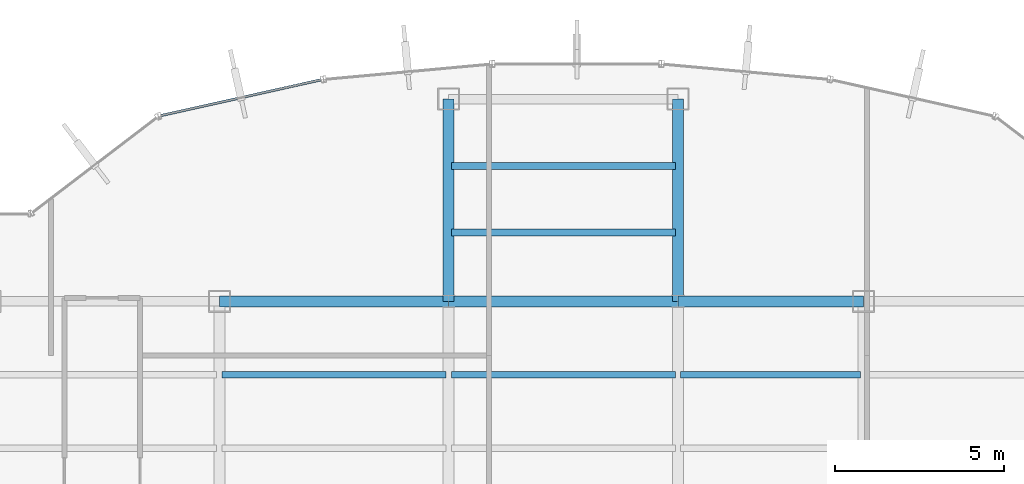
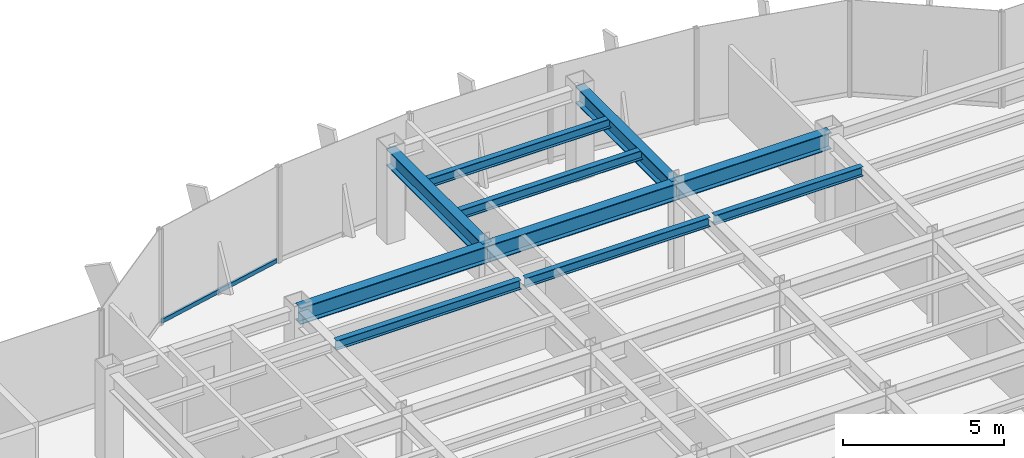
# One storey, part 14 of 23: 10 beams, 1 member, 1 element without a shape of its own.
"""IFC4 building model written with IfcOpenShell, lengths in metres."""

from ifc_helpers import new_model, si_unit, derived_unit, direction, frame, origin, origin_2d, place, context, subcontext, project, spatial, hollow_rectangle, i_section, extrude, source, transform, mapped, material, material_profile, profile_set, type_object, element, aggregate, save


model = new_model("IFC4")

# Units and contexts
model_context = context("Model", 3, precision=1e-05, world=origin(), true_north=direction((0.0, 1.0)))
body_context = subcontext(model_context, "Body", "Model", "MODEL_VIEW")
ifc_project = project(units=[si_unit("LENGTHUNIT", "METRE"), si_unit("AREAUNIT", "SQUARE_METRE"), si_unit("VOLUMEUNIT", "CUBIC_METRE"), si_unit("PLANEANGLEUNIT", "RADIAN"), si_unit("MASSUNIT", "GRAM", prefix="KILO"), derived_unit("THERMALTRANSMITTANCEUNIT", [(si_unit("POWERUNIT", "WATT"), 1), (si_unit("LENGTHUNIT", "METRE"), -2), (si_unit("THERMODYNAMICTEMPERATUREUNIT", "KELVIN"), -1)])], contexts=[model_context])

# Site, building, storey
site_placement = place(None, origin())
site = spatial("IfcSite", under=ifc_project, at=site_placement, CompositionType="ELEMENT")
building_placement = place(site_placement, origin())
building = spatial("IfcBuilding", under=site, at=building_placement, Name="Skarnbrae Concourse Arena and Tower", CompositionType="ELEMENT")
storey_placement = place(building_placement, frame((0.0, 0.0, 140.60009765625)))
storey = spatial("IfcBuildingStorey", under=building, at=storey_placement, Name="L35", CompositionType="ELEMENT", Elevation=140.60009765625)

# Beams
ifc_material_1 = material(Name="Steel CSA G40.21 350W", Category="steel")
ifc_material_profile_1 = material_profile(ifc_material_1, i_section(OverallWidth=0.3291015625, OverallDepth=0.635009765625, WebThickness=0.017822265625, FlangeThickness=0.031005859375, at=origin_2d()), Name="W610X241")
ifc_profile_set_1 = profile_set([ifc_material_profile_1], Name="Steel CSA G40.21 350W")
beam_type_1 = type_object("IfcBeamType", Name="BM-GIRD-W610X241", PredefinedType="BEAM", material=ifc_profile_set_1)
shared_shape_1 = source(origin(), body_context, "Body", "SweptSolid", [
    extrude(i_section(OverallWidth=0.3291015625, OverallDepth=0.635009765625, WebThickness=0.017822265625, FlangeThickness=0.031005859375, at=origin_2d()), origin(), (0.0, 0.0, 1.0), 6.800048828125),
])
for number, where, z_axis, x_axis, name in (
    (1, (14.39990234375, 34.39990234375, 3.08251953125), (1.0, 0.0, 0.0), (0.0, 1.0, 0.0), "L35 Primary E-W girder Y34.4-2"),
    (2, (21.199951171875, 34.39990234375, 3.08251953125), (1.0, 0.0, 0.0), (0.0, 1.0, 0.0), "L35 Primary E-W girder Y34.4-3"),
):
    element("IfcBeam", number, at=place(storey_placement, frame(where, z_axis=z_axis, x_axis=x_axis)), inside=storey, type_object=beam_type_1, Name=name, PredefinedType="BEAM", context=body_context, shape_type="MappedRepresentation", body=[
        mapped(shared_shape_1, transform((0.0, 0.0, 0.0))),
    ])
shared_shape_2 = source(origin(), body_context, "Body", "SweptSolid", [
    extrude(i_section(OverallWidth=0.3291015625, OverallDepth=0.635009765625, WebThickness=0.017822265625, FlangeThickness=0.031005859375, at=origin_2d()), origin(), (0.0, 0.0, 1.0), 5.5),
])
beam_1_placement = place(storey_placement, frame((28.0, 34.39990234375, 3.08251953125), z_axis=(1.0, 0.0, 0.0), x_axis=(0.0, 1.0, 0.0)))
element("IfcBeam", 3, at=beam_1_placement, inside=storey, type_object=beam_type_1, Name="L35 Primary E-W girder Y34.4-4", PredefinedType="BEAM", context=body_context, shape_type="MappedRepresentation", body=[
    mapped(shared_shape_2, transform((0.0, 0.0, 0.0))),
])
shared_shape_3 = source(origin(), body_context, "Body", "SweptSolid", [
    extrude(i_section(OverallWidth=0.3291015625, OverallDepth=0.635009765625, WebThickness=0.017822265625, FlangeThickness=0.031005859375, at=origin_2d()), origin(), (0.0, 0.0, 1.0), 6.0),
])
for number, where, z_axis, x_axis, name in (
    (4, (21.199951171875, 34.39990234375, 3.08251953125), (0.0, 1.0, 0.0), (-1.0, 0.0, 0.0), "L35 Primary N-S girder X21.2-4"),
    (5, (28.0, 34.39990234375, 3.08251953125), (0.0, 1.0, 0.0), (-1.0, 0.0, 0.0), "L35 Primary N-S girder X28.0-4"),
):
    element("IfcBeam", number, at=place(storey_placement, frame(where, z_axis=z_axis, x_axis=x_axis)), inside=storey, type_object=beam_type_1, Name=name, PredefinedType="BEAM", context=body_context, shape_type="MappedRepresentation", body=[
        mapped(shared_shape_3, transform((0.0, 0.0, 0.0))),
    ])
ifc_material_profile_2 = material_profile(ifc_material_1, i_section(OverallWidth=0.205078125, OverallDepth=0.35400390625, WebThickness=0.009521484375, FlangeThickness=0.016845703125, at=origin_2d()), Name="W360X79")
ifc_profile_set_2 = profile_set([ifc_material_profile_2], Name="Steel CSA G40.21 350W")
beam_type_2 = type_object("IfcBeamType", Name="BM-JOIST-W360X79", PredefinedType="JOIST", material=ifc_profile_set_2)
shared_shape_4 = source(origin(), body_context, "Body", "SweptSolid", [
    extrude(i_section(OverallWidth=0.205078125, OverallDepth=0.35400390625, WebThickness=0.009521484375, FlangeThickness=0.016845703125, at=origin_2d()), origin(), (0.0, 0.0, 1.0), 6.64013671875),
])
beam_2_placement = place(storey_placement, frame((14.47998046875, 32.221923828125, 3.222900390625), z_axis=(1.0, 0.0, 0.0), x_axis=(0.0, 1.0, 0.0)))
element("IfcBeam", 6, at=beam_2_placement, inside=storey, type_object=beam_type_2, Name="L35 Secondary floor joist 3.2.2", PredefinedType="JOIST", context=body_context, shape_type="MappedRepresentation", body=[
    mapped(shared_shape_4, transform((0.0, 0.0, 0.0))),
])
shared_shape_5 = source(origin(), body_context, "Body", "SweptSolid", [
    extrude(i_section(OverallWidth=0.205078125, OverallDepth=0.35400390625, WebThickness=0.009521484375, FlangeThickness=0.016845703125, at=origin_2d()), origin(), (0.0, 0.0, 1.0), 6.639892578125),
])
for number, where, z_axis, x_axis, name in (
    (7, (21.280029296875, 32.221923828125, 3.222900390625), (1.0, 0.0, 0.0), (0.0, 1.0, 0.0), "L35 Secondary floor joist 3.2.3"),
    (8, (21.280029296875, 36.43994140625, 3.222900390625), (1.0, 0.0, 0.0), (0.0, 1.0, 0.0), "L35 Secondary floor joist 4.1.1"),
    (9, (21.280029296875, 38.419921875, 3.222900390625), (1.0, 0.0, 0.0), (0.0, 1.0, 0.0), "L35 Secondary floor joist 4.2.1"),
):
    element("IfcBeam", number, at=place(storey_placement, frame(where, z_axis=z_axis, x_axis=x_axis)), inside=storey, type_object=beam_type_2, Name=name, PredefinedType="JOIST", context=body_context, shape_type="MappedRepresentation", body=[
        mapped(shared_shape_5, transform((0.0, 0.0, 0.0))),
    ])
shared_shape_6 = source(origin(), body_context, "Body", "SweptSolid", [
    extrude(i_section(OverallWidth=0.205078125, OverallDepth=0.35400390625, WebThickness=0.009521484375, FlangeThickness=0.016845703125, at=origin_2d()), origin(), (0.0, 0.0, 1.0), 5.33984375),
])
beam_3_placement = place(storey_placement, frame((28.080078125, 32.221923828125, 3.222900390625), z_axis=(1.0, 0.0, 0.0), x_axis=(0.0, 1.0, 0.0)))
element("IfcBeam", 10, at=beam_3_placement, inside=storey, type_object=beam_type_2, Name="L35 Secondary floor joist 3.2.4", PredefinedType="JOIST", context=body_context, shape_type="MappedRepresentation", body=[
    mapped(shared_shape_6, transform((0.0, 0.0, 0.0))),
])

# Curtain wall, member
ifc_material_2 = material(Name="Bronze anodised aluminium 6063-T6", Category="aluminium")
curtain_wall_type = type_object("IfcCurtainWallType", Name="CW-SYS-04-MIDZONE", PredefinedType="USERDEFINED", material=ifc_material_2)
curtain_wall_placement = place(storey_placement, origin())
curtain_wall = element("IfcCurtainWall", 11, at=curtain_wall_placement, inside=storey, type_object=curtain_wall_type, Name="L35 Unitised curtain wall CW-L35-E13", ObjectType="UNITISED CURTAIN WALL", PredefinedType="USERDEFINED")
ifc_material_profile_3 = material_profile(ifc_material_2, hollow_rectangle(XDim=0.074951171875, YDim=0.159912109375, WallThickness=0.00439453125, at=origin_2d()), Name="ALU-TRAN-75X160")
ifc_profile_set_3 = profile_set([ifc_material_profile_3], Name="Bronze anodised aluminium 6063-T6")
member_type = type_object("IfcMemberType", Name="CWT-CW-04", PredefinedType="USERDEFINED", material=ifc_profile_set_3)
shared_shape_7 = source(origin(), body_context, "Body", "SweptSolid", [
    extrude(hollow_rectangle(XDim=0.074951171875, YDim=0.159912109375, WallThickness=0.00439453125, at=origin_2d()), origin(), (0.0, 0.0, 1.0), 4.867919921875),
])
member_placement = place(storey_placement, frame((17.41455078125, 40.970458984375, 0.079833984375), z_axis=(-0.975944534406, -0.218018957349, 0.0), x_axis=(0.218018957349, -0.975944534406, 0.0)))
member = element("IfcMember", 12, at=member_placement, type_object=member_type, Name="CW-L35-E13 Transom 1", ObjectType="TRANSOM", PredefinedType="USERDEFINED", context=body_context, shape_type="MappedRepresentation", body=[
    mapped(shared_shape_7, transform((0.0, 0.0, 0.0))),
])
aggregate(curtain_wall, [member])

save(model, "model.ifc")
